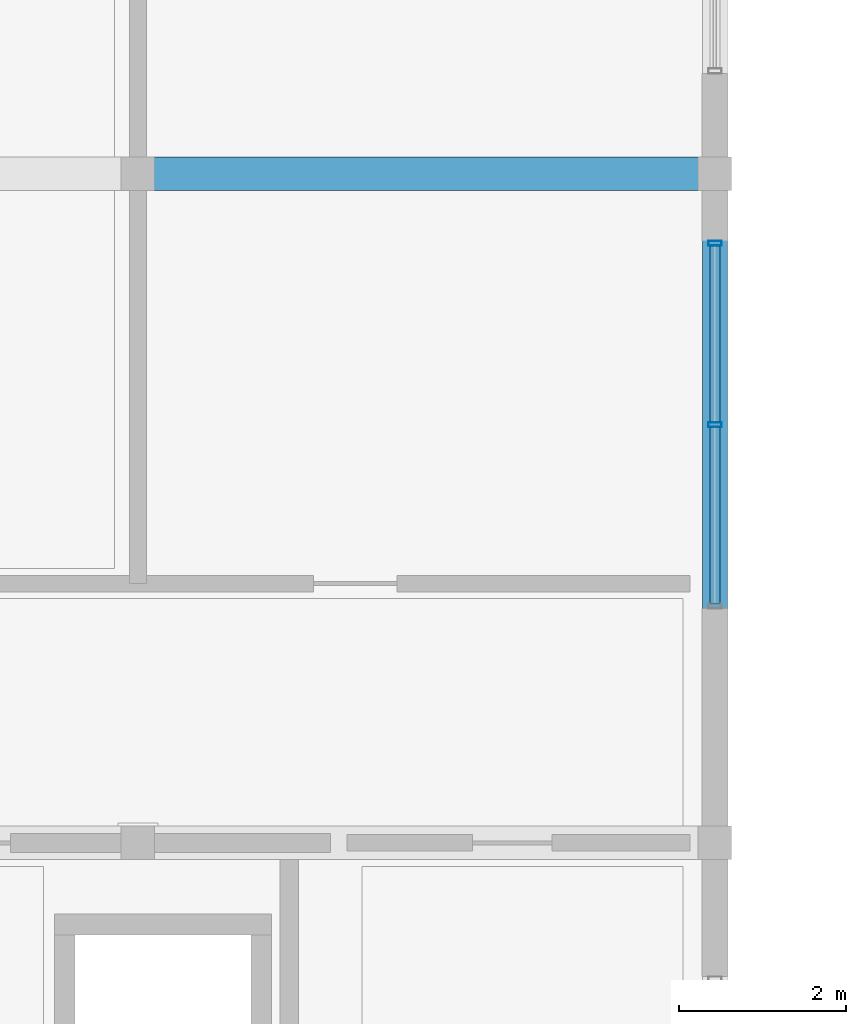
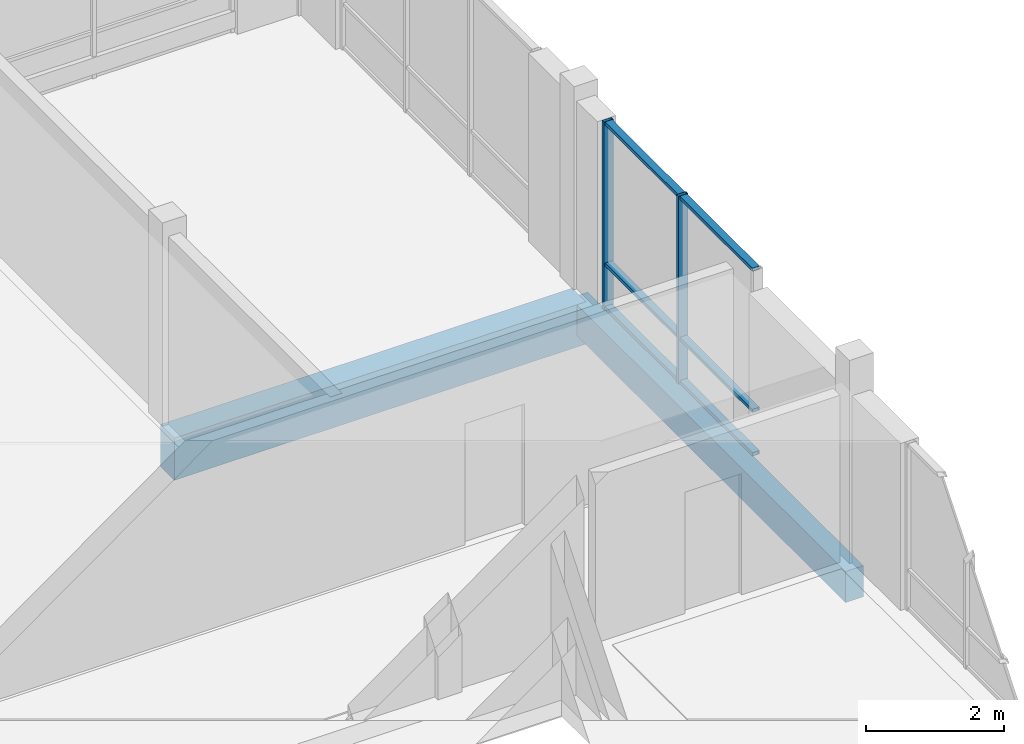
# One storey, part 27 of 189: 8 members, 2 beams, 1 element without a shape of its own.
"""IFC4 building model written with IfcOpenShell, lengths in metres."""

from ifc_helpers import new_model, si_unit, direction, frame, origin, origin_2d, place, context, subcontext, project, spatial, rectangle, hollow_rectangle, extrude, material, material_profile, profile_set, type_object, element, aggregate, save


model = new_model("IFC4")

# Units and contexts
model_context = context("Model", 3, precision=1e-05, world=origin(), true_north=direction((0.0, 1.0)))
body_context = subcontext(model_context, "Body", "Model", "MODEL_VIEW")
ifc_project = project(units=[si_unit("LENGTHUNIT", "METRE"), si_unit("AREAUNIT", "SQUARE_METRE"), si_unit("VOLUMEUNIT", "CUBIC_METRE"), si_unit("PLANEANGLEUNIT", "RADIAN"), si_unit("MASSUNIT", "GRAM", prefix="KILO")], contexts=[model_context])

# Site, building, storey
site_placement = place(None, origin())
site = spatial("IfcSite", under=ifc_project, at=site_placement, CompositionType="ELEMENT")
building_placement = place(site_placement, origin())
building = spatial("IfcBuilding", under=site, at=building_placement, Name="Zavelmont Quarter", CompositionType="ELEMENT")
storey_placement = place(building_placement, frame((0.0, 0.0, 4.39990234375)))
storey = spatial("IfcBuildingStorey", under=building, at=storey_placement, Name="L01", CompositionType="ELEMENT", Elevation=4.39990234375)

# Beams
ifc_material_1 = material(Name="Concrete C35/45", Category="concrete")
ifc_material_profile_1 = material_profile(ifc_material_1, rectangle(XDim=0.300048828125, YDim=0.550048828125, at=origin_2d()), Name="RC300X550")
ifc_profile_set_1 = profile_set([ifc_material_profile_1], Name="Concrete C35/45")
beam_type_1 = type_object("IfcBeamType", Name="BM02", PredefinedType="SPANDREL", material=ifc_profile_set_1)
beam_1_placement = place(storey_placement, frame((20.699951171875, 38.0, -0.554931640625), z_axis=(0.0, 1.0, 0.0), x_axis=(-1.0, 0.0, 0.0)))
element("IfcBeam", 1, at=beam_1_placement, inside=storey, type_object=beam_type_1, Name="L01 beam BM02 4/G to 4/H", PredefinedType="SPANDREL", context=body_context, shape_type="SweptSolid", body=[
    extrude(rectangle(XDim=0.300048828125, YDim=0.550048828125, at=origin_2d()), origin(), (0.0, 0.0, 1.0), 8.0),
])
ifc_material_2 = material(Name="Concrete C40/50", Category="concrete")
ifc_material_profile_2 = material_profile(ifc_material_2, rectangle(XDim=0.39990234375, YDim=0.75, at=origin_2d()), Name="RC400X750")
ifc_profile_set_2 = profile_set([ifc_material_profile_2], Name="Concrete C40/50")
beam_type_2 = type_object("IfcBeamType", Name="BM05", PredefinedType="BEAM", material=ifc_profile_set_2)
beam_2_placement = place(storey_placement, frame((13.800048828125, 46.0, -0.65478515625), z_axis=(1.0, 0.0, 0.0), x_axis=(0.0, 1.0, 0.0)))
element("IfcBeam", 2, at=beam_2_placement, inside=storey, type_object=beam_type_2, Name="L01 beam BM05 3/H to 4/H", PredefinedType="BEAM", context=body_context, shape_type="SweptSolid", body=[
    extrude(rectangle(XDim=0.39990234375, YDim=0.75, at=origin_2d()), origin(), (0.0, 0.0, 1.0), 6.89990234375),
])

# Curtain wall, members
ifc_material_3 = material(Name="Thermally broken aluminium and double low-E safety glazing", Category="aluminium")
curtain_wall_type = type_object("IfcCurtainWallType", Name="CW-440X333", PredefinedType="NOTDEFINED", material=ifc_material_3)
curtain_wall_placement = place(storey_placement, origin())
curtain_wall = element("IfcCurtainWall", 3, at=curtain_wall_placement, inside=storey, type_object=curtain_wall_type, Name="L01 unitised curtain wall CW-440X333", PredefinedType="NOTDEFINED")
ifc_material_4 = material(Name="Powder-coated aluminium EN AW-6063-T6", Category="aluminium")
ifc_material_profile_3 = material_profile(ifc_material_4, hollow_rectangle(XDim=0.06005859375, YDim=0.159912109375, WallThickness=0.00390625, at=origin_2d()), Name="CWM60X160")
ifc_profile_set_3 = profile_set([ifc_material_profile_3], Name="Powder-coated aluminium EN AW-6063-T6")
member_type_1 = type_object("IfcMemberType", Name="CWM01", PredefinedType="MULLION", material=ifc_profile_set_3)
member_1_placement = place(storey_placement, frame((20.699951171875, 43.0, 0.0), z_axis=(0.0, 0.0, 1.0), x_axis=(0.0, 1.0, 0.0)))
member_1 = element("IfcMember", 4, at=member_1_placement, type_object=member_type_1, Name="CW-440X333 mullion 2", PredefinedType="MULLION", context=body_context, shape_type="SweptSolid", body=[
    extrude(hollow_rectangle(XDim=0.06005859375, YDim=0.159912109375, WallThickness=0.00390625, at=origin_2d()), origin(), (0.0, 0.0, 1.0), 3.330078125),
])
member_2_placement = place(storey_placement, frame((20.699951171875, 45.169921875, 0.0), z_axis=(0.0, 0.0, 1.0), x_axis=(0.0, 1.0, 0.0)))
member_2 = element("IfcMember", 5, at=member_2_placement, type_object=member_type_1, Name="CW-440X333 mullion 3", PredefinedType="MULLION", context=body_context, shape_type="SweptSolid", body=[
    extrude(hollow_rectangle(XDim=0.06005859375, YDim=0.159912109375, WallThickness=0.00390625, at=origin_2d()), origin(), (0.0, 0.0, 1.0), 3.330078125),
])
ifc_material_profile_4 = material_profile(ifc_material_4, hollow_rectangle(XDim=0.1201171875, YDim=0.06005859375, WallThickness=0.00390625, at=origin_2d()), Name="CWT60X120")
ifc_profile_set_4 = profile_set([ifc_material_profile_4], Name="Powder-coated aluminium EN AW-6063-T6")
member_type_2 = type_object("IfcMemberType", Name="CWT01", PredefinedType="NOTDEFINED", material=ifc_profile_set_4)
member_3_placement = place(storey_placement, frame((20.699951171875, 40.860107421875, 0.030029296875), z_axis=(0.0, 1.0, 0.0), x_axis=(-1.0, 0.0, 0.0)))
member_3 = element("IfcMember", 6, at=member_3_placement, type_object=member_type_2, Name="CW-440X333 transom 1.1", ObjectType="TRANSOM", PredefinedType="USERDEFINED", context=body_context, shape_type="SweptSolid", body=[
    extrude(hollow_rectangle(XDim=0.1201171875, YDim=0.06005859375, WallThickness=0.00390625, at=origin_2d()), origin(), (0.0, 0.0, 1.0), 2.10986328125),
])
member_4_placement = place(storey_placement, frame((20.699951171875, 40.860107421875, 0.799072265625), z_axis=(0.0, 1.0, 0.0), x_axis=(-1.0, 0.0, 0.0)))
member_4 = element("IfcMember", 7, at=member_4_placement, type_object=member_type_2, Name="CW-440X333 transom 1.2", ObjectType="TRANSOM", PredefinedType="USERDEFINED", context=body_context, shape_type="SweptSolid", body=[
    extrude(hollow_rectangle(XDim=0.1201171875, YDim=0.06005859375, WallThickness=0.00390625, at=origin_2d()), origin(), (0.0, 0.0, 1.0), 2.10986328125),
])
member_5_placement = place(storey_placement, frame((20.699951171875, 40.860107421875, 3.300048828125), z_axis=(0.0, 1.0, 0.0), x_axis=(-1.0, 0.0, 0.0)))
member_5 = element("IfcMember", 8, at=member_5_placement, type_object=member_type_2, Name="CW-440X333 transom 1.3", ObjectType="TRANSOM", PredefinedType="USERDEFINED", context=body_context, shape_type="SweptSolid", body=[
    extrude(hollow_rectangle(XDim=0.1201171875, YDim=0.06005859375, WallThickness=0.00390625, at=origin_2d()), origin(), (0.0, 0.0, 1.0), 2.10986328125),
])
member_6_placement = place(storey_placement, frame((20.699951171875, 43.030029296875, 0.030029296875), z_axis=(0.0, 1.0, 0.0), x_axis=(-1.0, 0.0, 0.0)))
member_6 = element("IfcMember", 9, at=member_6_placement, type_object=member_type_2, Name="CW-440X333 transom 2.1", ObjectType="TRANSOM", PredefinedType="USERDEFINED", context=body_context, shape_type="SweptSolid", body=[
    extrude(hollow_rectangle(XDim=0.1201171875, YDim=0.06005859375, WallThickness=0.00390625, at=origin_2d()), origin(), (0.0, 0.0, 1.0), 2.10986328125),
])
member_7_placement = place(storey_placement, frame((20.699951171875, 43.030029296875, 0.799072265625), z_axis=(0.0, 1.0, 0.0), x_axis=(-1.0, 0.0, 0.0)))
member_7 = element("IfcMember", 10, at=member_7_placement, type_object=member_type_2, Name="CW-440X333 transom 2.2", ObjectType="TRANSOM", PredefinedType="USERDEFINED", context=body_context, shape_type="SweptSolid", body=[
    extrude(hollow_rectangle(XDim=0.1201171875, YDim=0.06005859375, WallThickness=0.00390625, at=origin_2d()), origin(), (0.0, 0.0, 1.0), 2.10986328125),
])
member_8_placement = place(storey_placement, frame((20.699951171875, 43.030029296875, 3.300048828125), z_axis=(0.0, 1.0, 0.0), x_axis=(-1.0, 0.0, 0.0)))
member_8 = element("IfcMember", 11, at=member_8_placement, type_object=member_type_2, Name="CW-440X333 transom 2.3", ObjectType="TRANSOM", PredefinedType="USERDEFINED", context=body_context, shape_type="SweptSolid", body=[
    extrude(hollow_rectangle(XDim=0.1201171875, YDim=0.06005859375, WallThickness=0.00390625, at=origin_2d()), origin(), (0.0, 0.0, 1.0), 2.10986328125),
])
aggregate(curtain_wall, [member_1, member_2, member_3, member_4, member_5, member_6, member_7, member_8])

save(model, "model.ifc")
